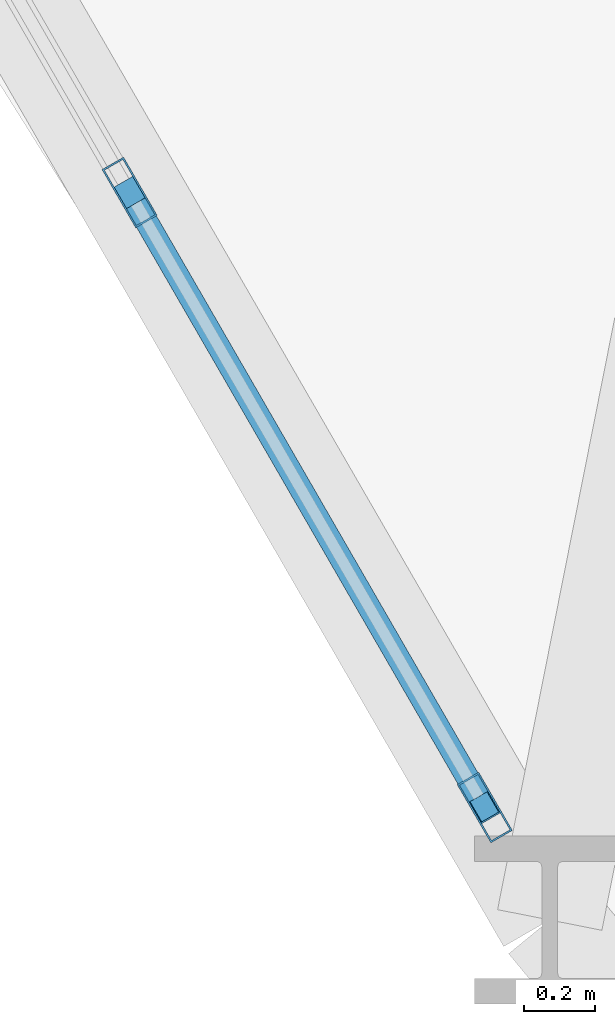
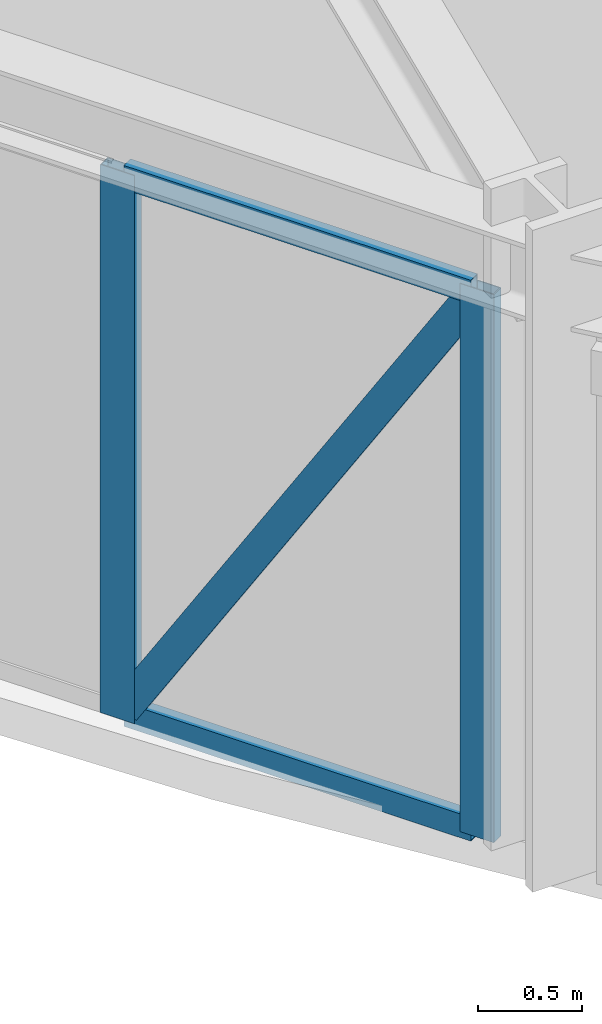
# One storey, part 2 of 20: 5 members, 1 element without a shape of its own.
"""IFC4 building model written with IfcOpenShell, lengths in metres."""

from ifc_helpers import new_model, si_unit, derived_unit, direction, frame, origin, origin_2d, place, context, subcontext, project, spatial, hollow_rectangle, extrude, source, transform, mapped, material, layer, layer_set, material_profile, profile_set, type_object, element, aggregate, save


model = new_model("IFC4")

# Units and contexts
model_context = context("Model", 3, precision=1e-05, world=origin(), true_north=direction((0.0, 1.0)))
body_context = subcontext(model_context, "Body", "Model", "MODEL_VIEW")
ifc_project = project(units=[si_unit("LENGTHUNIT", "METRE"), si_unit("AREAUNIT", "SQUARE_METRE"), si_unit("VOLUMEUNIT", "CUBIC_METRE"), si_unit("PLANEANGLEUNIT", "RADIAN"), si_unit("MASSUNIT", "GRAM", prefix="KILO"), derived_unit("THERMALTRANSMITTANCEUNIT", [(si_unit("POWERUNIT", "WATT"), 1), (si_unit("LENGTHUNIT", "METRE"), -2), (si_unit("THERMODYNAMICTEMPERATUREUNIT", "KELVIN"), -1)])], contexts=[model_context])

# Site, building, storey
site_placement = place(None, origin())
site = spatial("IfcSite", under=ifc_project, at=site_placement, CompositionType="ELEMENT")
building_placement = place(site_placement, origin())
building = spatial("IfcBuilding", under=site, at=building_placement, Name="Korsvarv Bourse and Concert Hall", CompositionType="ELEMENT")
storey_placement = place(building_placement, frame((0.0, 0.0, 79.5)))
storey = spatial("IfcBuildingStorey", under=building, at=storey_placement, Name="L19", CompositionType="ELEMENT", Elevation=79.5)

# Curtain wall, members
ifc_material_1 = material(Name="Anodised aluminium and triple low-E glazing", Category="glass")
ifc_layer = layer(ifc_material_1, 0.219970703125)
ifc_layer_set = layer_set([ifc_layer], Name="Anodised aluminium and triple low-E glazing")
curtain_wall_type = type_object("IfcCurtainWallType", Name="CW-SYS-1", PredefinedType="NOTDEFINED", material=ifc_layer_set)
curtain_wall_placement = place(storey_placement, origin())
curtain_wall = element("IfcCurtainWall", 1, at=curtain_wall_placement, inside=storey, type_object=curtain_wall_type, Name="L19 CW1 curtain wall CW-L19-F07", PredefinedType="NOTDEFINED")
ifc_material_2 = material(Name="Extruded aluminium EN AW-6063 T66", Category="aluminium")
ifc_material_profile_1 = material_profile(ifc_material_2, hollow_rectangle(XDim=0.070068359375, YDim=0.18994140625, WallThickness=0.0048828125, at=origin_2d()), Name="ALU-M 70x190")
ifc_profile_set_1 = profile_set([ifc_material_profile_1], Name="Extruded aluminium EN AW-6063 T66")
member_type_1 = type_object("IfcMemberType", Name="CWM-190", PredefinedType="MULLION", material=ifc_profile_set_1)
shared_shape_1 = source(origin(), body_context, "Body", "SweptSolid", [
    extrude(hollow_rectangle(XDim=0.070068359375, YDim=0.18994140625, WallThickness=0.0048828125, at=origin_2d()), origin(), (0.0, 0.0, 1.0), 3.22998046875),
])
member_1_placement = place(storey_placement, frame((25.54296875, 21.651123046875, 0.0), z_axis=(0.0, 0.0, 1.0), x_axis=(0.866024243871, 0.500002009023, 0.0)))
member_1 = element("IfcMember", 2, at=member_1_placement, type_object=member_type_1, Name="CW1 mullion 7", PredefinedType="MULLION", context=body_context, shape_type="MappedRepresentation", body=[
    mapped(shared_shape_1, transform((0.0, 0.0, 0.0), scale=1.0)),
])
member_2_placement = place(storey_placement, frame((26.545166015625, 19.91552734375, 0.0), z_axis=(0.0, 0.0, 1.0), x_axis=(0.866024243871, 0.500002009023, 0.0)))
member_2 = element("IfcMember", 3, at=member_2_placement, type_object=member_type_1, Name="CW1 mullion 8", PredefinedType="MULLION", context=body_context, shape_type="MappedRepresentation", body=[
    mapped(shared_shape_1, transform((0.0, 0.0, 0.0), scale=1.0)),
])
ifc_material_profile_2 = material_profile(ifc_material_2, hollow_rectangle(XDim=0.06494140625, YDim=0.139892578125, WallThickness=0.00390625, at=origin_2d()), Name="ALU-T 65x140")
ifc_profile_set_2 = profile_set([ifc_material_profile_2], Name="Extruded aluminium EN AW-6063 T66")
member_type_2 = type_object("IfcMemberType", Name="CWT-140", PredefinedType="USERDEFINED", material=ifc_profile_set_2)
shared_shape_2 = source(origin(), body_context, "Body", "SweptSolid", [
    extrude(hollow_rectangle(XDim=0.06494140625, YDim=0.139892578125, WallThickness=0.00390625, at=origin_2d()), origin(), (0.0, 0.0, 1.0), 1.93408203125),
])
member_3_placement = place(storey_placement, frame((25.560546875, 21.620849609375, 0.032470703125), z_axis=(0.499981047344, -0.866036345829, 0.0), x_axis=(0.866036345829, 0.499981047344, 0.0)))
member_3 = element("IfcMember", 4, at=member_3_placement, type_object=member_type_2, Name="CW1 transom 7.1", ObjectType="TRANSOM", PredefinedType="USERDEFINED", context=body_context, shape_type="MappedRepresentation", body=[
    mapped(shared_shape_2, transform((0.0, 0.0, 0.0), scale=1.0)),
])
member_4_placement = place(storey_placement, frame((25.560546875, 21.620849609375, 3.197509765625), z_axis=(0.499981047344, -0.866036345829, 0.0), x_axis=(0.866036345829, 0.499981047344, 0.0)))
member_4 = element("IfcMember", 5, at=member_4_placement, type_object=member_type_2, Name="CW1 transom 7.2", ObjectType="TRANSOM", PredefinedType="USERDEFINED", context=body_context, shape_type="MappedRepresentation", body=[
    mapped(shared_shape_2, transform((0.0, 0.0, 0.0), scale=1.0)),
])
ifc_material_profile_3 = material_profile(ifc_material_2, hollow_rectangle(XDim=0.06494140625, YDim=0.1650390625, WallThickness=0.0048828125, at=origin_2d()), Name="ALU-M 65x165")
ifc_profile_set_3 = profile_set([ifc_material_profile_3], Name="Extruded aluminium EN AW-6063 T66")
member_type_3 = type_object("IfcMemberType", Name="CWM-165", PredefinedType="MULLION", material=ifc_profile_set_3)
shared_shape_3 = source(origin(), body_context, "Body", "SweptSolid", [
    extrude(hollow_rectangle(XDim=0.06494140625, YDim=0.1650390625, WallThickness=0.0048828125, at=origin_2d()), origin(), (0.0, 0.0, 1.0), 3.654052734375),
])
member_5_placement = place(storey_placement, frame((25.560546875, 21.620849609375, 0.06494140625), z_axis=(0.26465423614, -0.458417751618, 0.84841693777), x_axis=(0.866036345829, 0.499981047344, 0.0)))
member_5 = element("IfcMember", 6, at=member_5_placement, type_object=member_type_3, Name="CW1 diagonal mullion 7", PredefinedType="MULLION", context=body_context, shape_type="MappedRepresentation", body=[
    mapped(shared_shape_3, transform((0.0, 0.0, 0.0), scale=1.0)),
])
aggregate(curtain_wall, [member_1, member_2, member_3, member_4, member_5])

save(model, "model.ifc")
